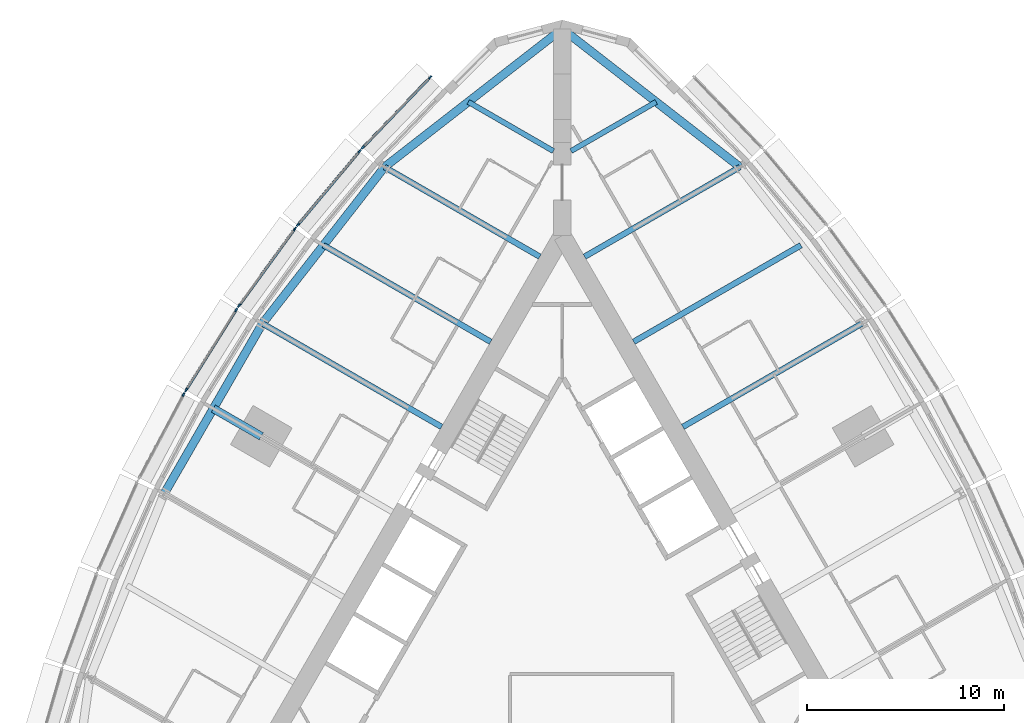
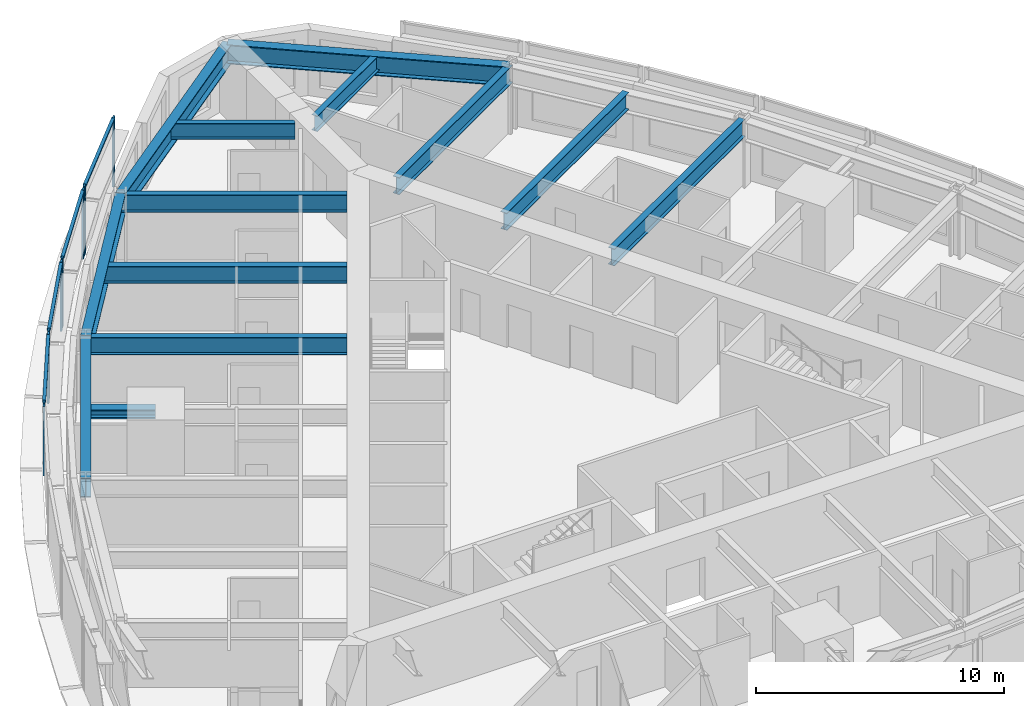
# One storey, part 4 of 14: 13 beams, 13 members, 5 elements without a shape of their own.
"""IFC4 building model written with IfcOpenShell, lengths in metres."""

from ifc_helpers import new_model, si_unit, direction, frame, origin, origin_2d, place, context, subcontext, project, spatial, rectangle, i_section, extrude, material, material_profile, profile_set, type_object, element, aggregate, save


model = new_model("IFC4")

# Units and contexts
model_context = context("Model", 3, precision=1e-05, world=origin(), true_north=direction((0.0, 1.0)))
body_context = subcontext(model_context, "Body", "Model", "MODEL_VIEW")
ifc_project = project(units=[si_unit("LENGTHUNIT", "METRE"), si_unit("AREAUNIT", "SQUARE_METRE"), si_unit("VOLUMEUNIT", "CUBIC_METRE"), si_unit("PLANEANGLEUNIT", "RADIAN"), si_unit("MASSUNIT", "GRAM", prefix="KILO")], contexts=[model_context])

# Site, building, storey
site_placement = place(None, origin())
site = spatial("IfcSite", under=ifc_project, at=site_placement, CompositionType="ELEMENT")
building_placement = place(site_placement, origin())
building = spatial("IfcBuilding", under=site, at=building_placement, Name="Trikona Tower", CompositionType="ELEMENT")
storey_placement = place(building_placement, frame((0.0, 0.0, 128.300048828125)))
storey = spatial("IfcBuildingStorey", under=building, at=storey_placement, Name="L33", CompositionType="ELEMENT", Elevation=128.300048828125)

# Curtain wall, members
ifc_material_1 = material(Name="Aluminium curtain wall system", Category="aluminium")
curtain_wall_type = type_object("IfcCurtainWallType", Name="Curtain wall DS2", PredefinedType="NOTDEFINED", material=ifc_material_1)
curtain_wall_1_placement = place(storey_placement, origin())
curtain_wall_1 = element("IfcCurtainWall", 1, at=curtain_wall_1_placement, inside=storey, type_object=curtain_wall_type, Name="Curtain wall DS2 L33", PredefinedType="NOTDEFINED")
ifc_material_2 = material(Name="Aluminium mullion, pale anodised", Category="aluminium")
ifc_material_profile_1 = material_profile(ifc_material_2, rectangle(XDim=0.080078125, YDim=0.199951171875, at=origin_2d()), Name="MUL-DS2")
ifc_profile_set_1 = profile_set([ifc_material_profile_1], Name="Aluminium mullion, pale anodised")
member_type_1 = type_object("IfcMemberType", Name="Mullion DS2 80x200", PredefinedType="MULLION", material=ifc_profile_set_1)
member_1_placement = place(storey_placement, frame((-6.718994140625, 27.1083984375, 0.0), z_axis=(0.0, 0.0, 1.0), x_axis=(0.722158330767, -0.691727797117, 0.0)))
member_1 = element("IfcMember", 2, at=member_1_placement, type_object=member_type_1, Name="CW-DS2 mullion 1", PredefinedType="MULLION", context=body_context, shape_type="SweptSolid", body=[
    extrude(rectangle(XDim=0.080078125, YDim=0.199951171875, at=origin_2d()), origin(), (0.0, 0.0, 1.0), 3.39990234375),
])
member_2_placement = place(storey_placement, frame((-10.1416015625, 23.535400390625, 0.0), z_axis=(0.0, 0.0, 1.0), x_axis=(0.722158330767, -0.691727797117, 0.0)))
member_2 = element("IfcMember", 3, at=member_2_placement, type_object=member_type_1, Name="CW-DS2 mullion 2", PredefinedType="MULLION", context=body_context, shape_type="SweptSolid", body=[
    extrude(rectangle(XDim=0.080078125, YDim=0.199951171875, at=origin_2d()), origin(), (0.0, 0.0, 1.0), 3.39990234375),
])

curtain_wall_2_placement = place(storey_placement, origin())
curtain_wall_2 = element("IfcCurtainWall", 4, at=curtain_wall_2_placement, inside=storey, type_object=curtain_wall_type, Name="Curtain wall DS2 L33", PredefinedType="NOTDEFINED")
member_3_placement = place(storey_placement, frame((-10.315185546875, 23.34130859375, 0.0), z_axis=(0.0, 0.0, 1.0), x_axis=(0.766866678271, -0.641806433248, 0.0)))
member_3 = element("IfcMember", 5, at=member_3_placement, type_object=member_type_1, Name="CW-DS2 mullion 1", PredefinedType="MULLION", context=body_context, shape_type="SweptSolid", body=[
    extrude(rectangle(XDim=0.080078125, YDim=0.199951171875, at=origin_2d()), origin(), (0.0, 0.0, 1.0), 3.39990234375),
])
member_4_placement = place(storey_placement, frame((-13.44482421875, 19.602294921875, 0.0), z_axis=(0.0, 0.0, 1.0), x_axis=(0.766866678271, -0.641806433248, 0.0)))
member_4 = element("IfcMember", 6, at=member_4_placement, type_object=member_type_1, Name="CW-DS2 mullion 2", PredefinedType="MULLION", context=body_context, shape_type="SweptSolid", body=[
    extrude(rectangle(XDim=0.080078125, YDim=0.199951171875, at=origin_2d()), origin(), (0.0, 0.0, 1.0), 3.39990234375),
])

curtain_wall_3_placement = place(storey_placement, origin())
curtain_wall_3 = element("IfcCurtainWall", 7, at=curtain_wall_3_placement, inside=storey, type_object=curtain_wall_type, Name="Curtain wall DS2 L33", PredefinedType="NOTDEFINED")
member_5_placement = place(storey_placement, frame((-13.605712890625, 19.39599609375, 0.0), z_axis=(0.0, 0.0, 1.0), x_axis=(0.80908576332, -0.587690588313, 0.0)))
member_5 = element("IfcMember", 8, at=member_5_placement, type_object=member_type_1, Name="CW-DS2 mullion 1", PredefinedType="MULLION", context=body_context, shape_type="SweptSolid", body=[
    extrude(rectangle(XDim=0.080078125, YDim=0.199951171875, at=origin_2d()), origin(), (0.0, 0.0, 1.0), 3.39990234375),
])
member_6_placement = place(storey_placement, frame((-16.442626953125, 15.489990234375, 0.0), z_axis=(0.0, 0.0, 1.0), x_axis=(0.80908576332, -0.587690588313, 0.0)))
member_6 = element("IfcMember", 9, at=member_6_placement, type_object=member_type_1, Name="CW-DS2 mullion 2", PredefinedType="MULLION", context=body_context, shape_type="SweptSolid", body=[
    extrude(rectangle(XDim=0.080078125, YDim=0.199951171875, at=origin_2d()), origin(), (0.0, 0.0, 1.0), 3.39990234375),
])

curtain_wall_4_placement = place(storey_placement, origin())
curtain_wall_4 = element("IfcCurtainWall", 10, at=curtain_wall_4_placement, inside=storey, type_object=curtain_wall_type, Name="Curtain wall DS2 L33", PredefinedType="NOTDEFINED")
member_7_placement = place(storey_placement, frame((-16.589599609375, 15.2724609375, 0.0), z_axis=(0.0, 0.0, 1.0), x_axis=(0.847998304006, -0.529998940002, 0.0)))
member_7 = element("IfcMember", 11, at=member_7_placement, type_object=member_type_1, Name="CW-DS2 mullion 1", PredefinedType="MULLION", context=body_context, shape_type="SweptSolid", body=[
    extrude(rectangle(XDim=0.080078125, YDim=0.199951171875, at=origin_2d()), origin(), (0.0, 0.0, 1.0), 3.39990234375),
])
member_8_placement = place(storey_placement, frame((-19.135009765625, 11.199462890625, 0.0), z_axis=(0.0, 0.0, 1.0), x_axis=(0.847998304006, -0.529998940002, 0.0)))
member_8 = element("IfcMember", 12, at=member_8_placement, type_object=member_type_1, Name="CW-DS2 mullion 2", PredefinedType="MULLION", context=body_context, shape_type="SweptSolid", body=[
    extrude(rectangle(XDim=0.080078125, YDim=0.199951171875, at=origin_2d()), origin(), (0.0, 0.0, 1.0), 3.39990234375),
])

# Curtain wall, member
curtain_wall_5_placement = place(storey_placement, origin())
curtain_wall_5 = element("IfcCurtainWall", 13, at=curtain_wall_5_placement, inside=storey, type_object=curtain_wall_type, Name="Curtain wall DS2 L33", PredefinedType="NOTDEFINED")
member_9_placement = place(storey_placement, frame((-19.2666015625, 10.9716796875, 0.0), z_axis=(0.0, 0.0, 1.0), x_axis=(0.882996107343, -0.469380308937, 0.0)))
member_9 = element("IfcMember", 14, at=member_9_placement, type_object=member_type_1, Name="CW-DS2 mullion 1", PredefinedType="MULLION", context=body_context, shape_type="SweptSolid", body=[
    extrude(rectangle(XDim=0.080078125, YDim=0.199951171875, at=origin_2d()), origin(), (0.0, 0.0, 1.0), 3.39990234375),
])
aggregate(curtain_wall_5, [member_9])

# Beams
ifc_material_3 = material(Name="Steel ASTM A992 Grade 50", Category="steel")
ifc_material_profile_2 = material_profile(ifc_material_3, i_section(OverallWidth=0.419189453125, OverallDepth=0.45458984375, WebThickness=0.042236328125, FlangeThickness=0.067626953125, at=origin_2d()), Name="W14X370")
ifc_profile_set_2 = profile_set([ifc_material_profile_2], Name="Steel ASTM A992 Grade 50")
beam_type_1 = type_object("IfcBeamType", Name="Steel beam W14x370 (apex bracket)", PredefinedType="BEAM", material=ifc_profile_set_2)
beam_1_placement = place(storey_placement, frame((-15.311767578125, 8.84033203125, 3.007568359375), z_axis=(-0.86605005072, 0.499957307824, 0.0), x_axis=(-0.499957307824, -0.86605005072, 0.0)))
element("IfcBeam", 15, at=beam_1_placement, inside=storey, type_object=beam_type_1, Name="Cantilever bracket L34 F3", PredefinedType="BEAM", context=body_context, shape_type="SweptSolid", body=[
    extrude(i_section(OverallWidth=0.419189453125, OverallDepth=0.45458984375, WebThickness=0.042236328125, FlangeThickness=0.067626953125, at=origin_2d()), origin(), (0.0, 0.0, 1.0), 2.819580078125),
])
ifc_material_4 = material(Name="Steel ASTM A992 Grade 50", Category="steel")
ifc_material_profile_3 = material_profile(ifc_material_4, i_section(OverallWidth=0.2666015625, OverallDepth=0.76953125, WebThickness=0.015625, FlangeThickness=0.025390625, at=origin_2d()), Name="W30X132")
ifc_profile_set_3 = profile_set([ifc_material_profile_3], Name="Steel ASTM A992 Grade 50")
beam_type_2 = type_object("IfcBeamType", Name="Steel beam W30x132 (wedge)", PredefinedType="BEAM", material=ifc_profile_set_3)
for number, where, z_axis, x_axis, name in (
    (16, (0.449951171875, 23.353759765625, 2.85009765625), (0.866038434829, 0.49997742889, 0.0), (-0.49997742889, 0.866038434829, 0.0), "Floor beam L34 F2 u20"),
    (17, (-0.449951171875, 23.353759765625, 2.85009765625), (-0.866038434829, 0.49997742889, 0.0), (-0.49997742889, -0.866038434829, 0.0), "Floor beam L34 F3 u-20"),
):
    element("IfcBeam", number, at=place(storey_placement, frame(where, z_axis=z_axis, x_axis=x_axis)), inside=storey, type_object=beam_type_2, Name=name, PredefinedType="BEAM", context=body_context, shape_type="SweptSolid", body=[
        extrude(i_section(OverallWidth=0.2666015625, OverallDepth=0.76953125, WebThickness=0.015625, FlangeThickness=0.025390625, at=origin_2d()), origin(), (0.0, 0.0, 1.0), 5.000732421875),
    ])
ifc_material_5 = material(Name="Steel ASTM A992 Grade 50", Category="steel")
ifc_material_profile_4 = material_profile(ifc_material_5, i_section(OverallWidth=0.2919921875, OverallDepth=0.845703125, WebThickness=0.015380859375, FlangeThickness=0.0244140625, at=origin_2d()), Name="W33X141")
ifc_profile_set_4 = profile_set([ifc_material_profile_4], Name="Steel ASTM A992 Grade 50")
beam_type_3 = type_object("IfcBeamType", Name="Steel beam W33x141 (radial typ)", PredefinedType="BEAM", material=ifc_profile_set_4)
beam_2_placement = place(storey_placement, frame((6.1396484375, 9.318359375, 2.81201171875), z_axis=(0.866036080828, 0.499981506362, 0.0), x_axis=(-0.499981506362, 0.866036080828, 0.0)))
element("IfcBeam", 18, at=beam_2_placement, inside=storey, type_object=beam_type_3, Name="Floor beam L34 F2 u5", PredefinedType="BEAM", context=body_context, shape_type="SweptSolid", body=[
    extrude(i_section(OverallWidth=0.2919921875, OverallDepth=0.845703125, WebThickness=0.015380859375, FlangeThickness=0.0244140625, at=origin_2d()), origin(), (0.0, 0.0, 1.0), 10.52392578125),
])
beam_3_placement = place(storey_placement, frame((3.6396484375, 13.6484375, 2.81201171875), z_axis=(0.866030807744, 0.499990639951, 0.0), x_axis=(-0.499990639951, 0.866030807744, 0.0)))
element("IfcBeam", 19, at=beam_3_placement, inside=storey, type_object=beam_type_3, Name="Floor beam L34 F2 u10", PredefinedType="BEAM", context=body_context, shape_type="SweptSolid", body=[
    extrude(i_section(OverallWidth=0.2919921875, OverallDepth=0.845703125, WebThickness=0.015380859375, FlangeThickness=0.0244140625, at=origin_2d()), origin(), (0.0, 0.0, 1.0), 9.823974609375),
])
for number, where, z_axis, x_axis, name in (
    (20, (1.1396484375, 17.978515625, 2.81201171875), (0.866024725532, 0.500001174766, 0.0), (-0.500001174766, 0.866024725532, 0.0), "Floor beam L34 F2 u15"),
    (21, (-1.1396484375, 17.978515625, 2.81201171875), (-0.866024725532, 0.500001174766, 0.0), (-0.500001174766, -0.866024725532, 0.0), "Floor beam L34 F3 u-15"),
):
    element("IfcBeam", number, at=place(storey_placement, frame(where, z_axis=z_axis, x_axis=x_axis)), inside=storey, type_object=beam_type_3, Name=name, PredefinedType="BEAM", context=body_context, shape_type="SweptSolid", body=[
        extrude(i_section(OverallWidth=0.2919921875, OverallDepth=0.845703125, WebThickness=0.015380859375, FlangeThickness=0.0244140625, at=origin_2d()), origin(), (0.0, 0.0, 1.0), 9.1240234375),
    ])
beam_4_placement = place(storey_placement, frame((-3.6396484375, 13.6484375, 2.81201171875), z_axis=(-0.866030807744, 0.499990639951, 0.0), x_axis=(-0.499990639951, -0.866030807744, 0.0)))
element("IfcBeam", 22, at=beam_4_placement, inside=storey, type_object=beam_type_3, Name="Floor beam L34 F3 u-10", PredefinedType="BEAM", context=body_context, shape_type="SweptSolid", body=[
    extrude(i_section(OverallWidth=0.2919921875, OverallDepth=0.845703125, WebThickness=0.015380859375, FlangeThickness=0.0244140625, at=origin_2d()), origin(), (0.0, 0.0, 1.0), 9.823974609375),
])
beam_5_placement = place(storey_placement, frame((-6.1396484375, 9.318359375, 2.81201171875), z_axis=(-0.866036080828, 0.499981506362, 0.0), x_axis=(-0.499981506362, -0.866036080828, 0.0)))
element("IfcBeam", 23, at=beam_5_placement, inside=storey, type_object=beam_type_3, Name="Floor beam L34 F3 u-5", PredefinedType="BEAM", context=body_context, shape_type="SweptSolid", body=[
    extrude(i_section(OverallWidth=0.2919921875, OverallDepth=0.845703125, WebThickness=0.015380859375, FlangeThickness=0.0244140625, at=origin_2d()), origin(), (0.0, 0.0, 1.0), 10.52392578125),
])
ifc_material_6 = material(Name="Steel ASTM A992 Grade 50", Category="steel")
ifc_material_profile_5 = material_profile(ifc_material_6, i_section(OverallWidth=0.424072265625, OverallDepth=0.947509765625, WebThickness=0.02392578125, FlangeThickness=0.042724609375, at=origin_2d()), Name="W36X302")
ifc_profile_set_5 = profile_set([ifc_material_profile_5], Name="Steel ASTM A992 Grade 50")
beam_type_4 = type_object("IfcBeamType", Name="Steel beam W36x302 (spandrel)", PredefinedType="SPANDREL", material=ifc_profile_set_5)
for number, where, z_axis, x_axis, name in (
    (24, (9.041259765625, 22.54052734375, 2.76123046875), (-0.789367137808, 0.613921429621, 0.0), (-0.613921429621, -0.789367137808, 0.0), "Spandrel beam L34 F2-5"),
    (25, (0.0, 29.572265625, 2.76123046875), (-0.789367137808, -0.613921429621, 0.0), (0.613921429621, -0.789367137808, 0.0), "Spandrel beam L34 F3-1"),
):
    element("IfcBeam", number, at=place(storey_placement, frame(where, z_axis=z_axis, x_axis=x_axis)), inside=storey, type_object=beam_type_4, Name=name, PredefinedType="SPANDREL", context=body_context, shape_type="SweptSolid", body=[
        extrude(i_section(OverallWidth=0.424072265625, OverallDepth=0.947509765625, WebThickness=0.02392578125, FlangeThickness=0.042724609375, at=origin_2d()), origin(), (0.0, 0.0, 1.0), 11.453857421875),
    ])
beam_6_placement = place(storey_placement, frame((-9.041259765625, 22.54052734375, 2.76123046875), z_axis=(-0.615232009054, -0.788346101046, 0.0), x_axis=(0.788346101046, -0.615232009054, 0.0)))
element("IfcBeam", 26, at=beam_6_placement, inside=storey, type_object=beam_type_4, Name="Spandrel beam L34 F3-2", PredefinedType="SPANDREL", context=body_context, shape_type="SweptSolid", body=[
    extrude(i_section(OverallWidth=0.424072265625, OverallDepth=0.947509765625, WebThickness=0.02392578125, FlangeThickness=0.042724609375, at=origin_2d()), origin(), (0.0, 0.0, 1.0), 10.09765625),
])
beam_7_placement = place(storey_placement, frame((-15.253662109375, 14.580078125, 2.76123046875), z_axis=(-0.500004234368, -0.866022959057, 0.0), x_axis=(0.866022959057, -0.500004234368, 0.0)))
element("IfcBeam", 27, at=beam_7_placement, inside=storey, type_object=beam_type_4, Name="Spandrel beam L34 F3-3", PredefinedType="SPANDREL", context=body_context, shape_type="SweptSolid", body=[
    extrude(i_section(OverallWidth=0.424072265625, OverallDepth=0.947509765625, WebThickness=0.02392578125, FlangeThickness=0.042724609375, at=origin_2d()), origin(), (0.0, 0.0, 1.0), 10.0),
])

# Member
ifc_material_7 = material(Name="Aluminium transom, pale anodised", Category="aluminium")
ifc_material_profile_6 = material_profile(ifc_material_7, rectangle(XDim=0.139892578125, YDim=0.080078125, at=origin_2d()), Name="TRN-DS2")
ifc_profile_set_6 = profile_set([ifc_material_profile_6], Name="Aluminium transom, pale anodised")
member_type_2 = type_object("IfcMemberType", Name="Transom DS2 80x140", PredefinedType="USERDEFINED", material=ifc_profile_set_6)
member_10_placement = place(storey_placement, frame((-6.746826171875, 27.07958984375, 3.35986328125), z_axis=(-0.691721246785, -0.722164605022, 0.0), x_axis=(0.722164605022, -0.691721246785, 0.0)))
member_10 = element("IfcMember", 28, at=member_10_placement, type_object=member_type_2, Name="CW-DS2 transom 1.1", ObjectType="TRANSOM", PredefinedType="USERDEFINED", context=body_context, shape_type="SweptSolid", body=[
    extrude(rectangle(XDim=0.139892578125, YDim=0.080078125, at=origin_2d()), origin(), (0.0, 0.0, 1.0), 4.867919921875),
])

aggregate(curtain_wall_1, [member_1, member_2, member_10])

member_11_placement = place(storey_placement, frame((-10.341064453125, 23.310791015625, 3.35986328125), z_axis=(-0.641770294892, -0.766896921753, 0.0), x_axis=(0.766896921753, -0.641770294892, 0.0)))
member_11 = element("IfcMember", 29, at=member_11_placement, type_object=member_type_2, Name="CW-DS2 transom 1.1", ObjectType="TRANSOM", PredefinedType="USERDEFINED", context=body_context, shape_type="SweptSolid", body=[
    extrude(rectangle(XDim=0.139892578125, YDim=0.080078125, at=origin_2d()), origin(), (0.0, 0.0, 1.0), 4.7958984375),
])

aggregate(curtain_wall_2, [member_3, member_4, member_11])

member_12_placement = place(storey_placement, frame((-13.629150390625, 19.363525390625, 3.35986328125), z_axis=(-0.587694585883, -0.809082859616, 0.0), x_axis=(0.809082859616, -0.587694585883, 0.0)))
member_12 = element("IfcMember", 30, at=member_12_placement, type_object=member_type_2, Name="CW-DS2 transom 1.1", ObjectType="TRANSOM", PredefinedType="USERDEFINED", context=body_context, shape_type="SweptSolid", body=[
    extrude(rectangle(XDim=0.139892578125, YDim=0.080078125, at=origin_2d()), origin(), (0.0, 0.0, 1.0), 4.747314453125),
])

aggregate(curtain_wall_3, [member_5, member_6, member_12])

member_13_placement = place(storey_placement, frame((-16.610595703125, 15.238525390625, 3.35986328125), z_axis=(-0.530031463794, -0.847977975769, 0.0), x_axis=(0.847977975769, -0.530031463794, 0.0)))
member_13 = element("IfcMember", 31, at=member_13_placement, type_object=member_type_2, Name="CW-DS2 transom 1.1", ObjectType="TRANSOM", PredefinedType="USERDEFINED", context=body_context, shape_type="SweptSolid", body=[
    extrude(rectangle(XDim=0.139892578125, YDim=0.080078125, at=origin_2d()), origin(), (0.0, 0.0, 1.0), 4.72314453125),
])

aggregate(curtain_wall_4, [member_7, member_8, member_13])

save(model, "model.ifc")
